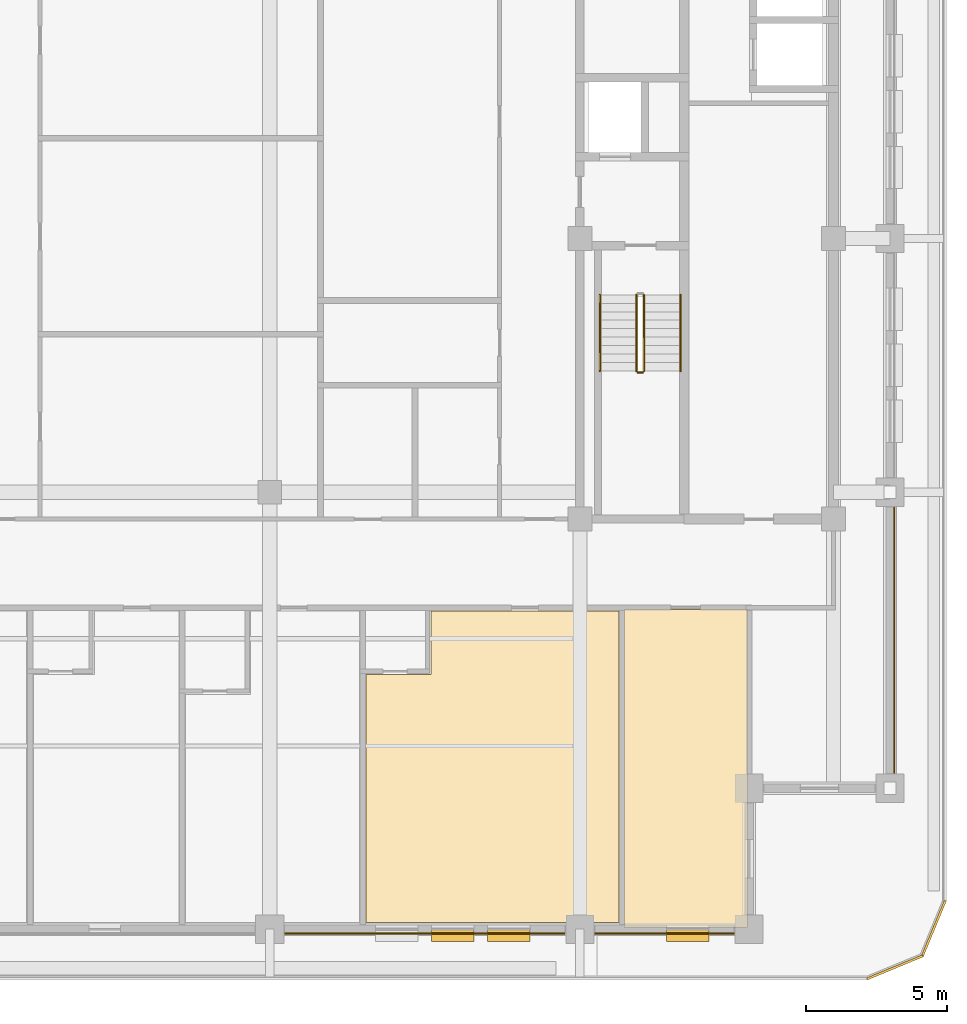
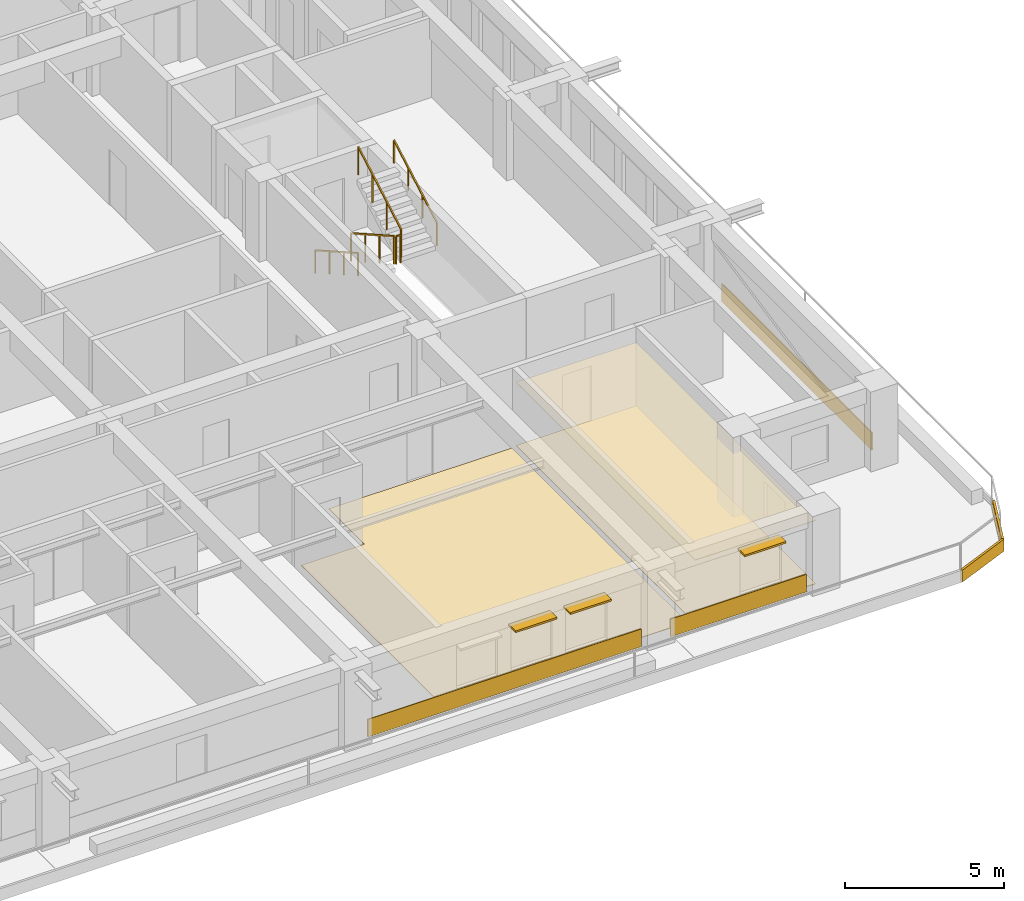
# One storey, part 12 of 14: 8 coverings, 5 railings, 3 shading devices.
"""IFC4 building model written with IfcOpenShell, lengths in metres."""

from ifc_helpers import new_model, si_unit, direction, frame, frame_2d, origin, origin_2d, place, context, subcontext, project, spatial, polyline, rectangle, outline, extrude, material, layer, layer_set, type_object, element, save


model = new_model("IFC4")

# Units and contexts
model_context = context("Model", 3, precision=1e-05, world=origin(), true_north=direction((0.0, 1.0)))
body_context = subcontext(model_context, "Body", "Model", "MODEL_VIEW")
ifc_project = project(units=[si_unit("LENGTHUNIT", "METRE"), si_unit("AREAUNIT", "SQUARE_METRE"), si_unit("VOLUMEUNIT", "CUBIC_METRE"), si_unit("PLANEANGLEUNIT", "RADIAN"), si_unit("MASSUNIT", "GRAM", prefix="KILO")], contexts=[model_context])

# Site, building, storey
site_placement = place(None, origin())
site = spatial("IfcSite", under=ifc_project, at=site_placement, CompositionType="ELEMENT")
building_placement = place(site_placement, origin())
building = spatial("IfcBuilding", under=site, at=building_placement, Name="Zulmaris Gate Convention Tower", CompositionType="ELEMENT")
storey_placement = place(building_placement, frame((0.0, 0.0, 208.4599609375)))
storey = spatial("IfcBuildingStorey", under=building, at=storey_placement, Name="L54", CompositionType="ELEMENT", Elevation=208.4599609375)

# Coverings
ifc_material_1 = material(Name="Precast concrete C40/50", Category="concrete")
ifc_layer_1 = layer(ifc_material_1, 0.0400390625, Name="Precast concrete C40/50")
ifc_layer_set_1 = layer_set([ifc_layer_1], Name="Precast concrete C40/50")
covering_type_1 = type_object("IfcCoveringType", Name="CLAD-SPANDREL-PRECAST", PredefinedType="CLADDING", material=ifc_layer_set_1)
covering_1_placement = place(storey_placement, frame((0.530029296875, -24.64990234375, 0.0), z_axis=(0.0, 0.0, 1.0), x_axis=(1.0, 0.0, 0.0)))
element("IfcCovering", 1, at=covering_1_placement, inside=storey, type_object=covering_type_1, Name="CLD-L54-S-2_0", PredefinedType="CLADDING", context=body_context, shape_type="SweptSolid", body=[
    extrude(rectangle(XDim=9.93994140625, YDim=0.0400390625, at=frame_2d((4.969970703125, 0.0))), origin(), (0.0, 0.0, 1.0), 0.679931640625),
])
covering_2_placement = place(storey_placement, frame((11.530029296875, -24.64990234375, 0.0), z_axis=(0.0, 0.0, 1.0), x_axis=(1.0, 0.0, 0.0)))
element("IfcCovering", 2, at=covering_2_placement, inside=storey, type_object=covering_type_1, Name="CLD-L54-S-3_0", PredefinedType="CLADDING", context=body_context, shape_type="SweptSolid", body=[
    extrude(rectangle(XDim=4.93994140625, YDim=0.0400390625, at=frame_2d((2.469970703125, 0.0))), origin(), (0.0, 0.0, 1.0), 0.679931640625),
])
covering_3_placement = place(storey_placement, frame((22.14990234375, -18.969970703125, 0.0), z_axis=(0.0, 0.0, 1.0), x_axis=(0.0, 1.0, 0.0)))
element("IfcCovering", 3, at=covering_3_placement, inside=storey, type_object=covering_type_1, Name="CLD-L54-E-0_0", PredefinedType="CLADDING", context=body_context, shape_type="SweptSolid", body=[
    extrude(rectangle(XDim=9.43994140625, YDim=0.0400390625, at=frame_2d((4.719970703125, 0.0))), origin(), (0.0, 0.0, 1.0), 0.679931640625),
])
ifc_material_2 = material(Name="White Glazed Architectural Precast Concrete C40/50", Category="concrete")
ifc_layer_2 = layer(ifc_material_2, 0.080078125, Name="White Glazed Architectural Precast Concrete C40/50")
ifc_layer_set_2 = layer_set([ifc_layer_2], Name="White Glazed Architectural Precast Concrete C40/50")
covering_type_2 = type_object("IfcCoveringType", Name="CLAD-TRAY-FASCIA", PredefinedType="CLADDING", material=ifc_layer_set_2)
covering_4_placement = place(storey_placement, frame((21.184814453125, -26.262939453125, -0.2900390625), z_axis=(0.0, 0.0, 1.0), x_axis=(0.923873803533, 0.382697263049, 0.0)))
element("IfcCovering", 4, at=covering_4_placement, inside=storey, type_object=covering_type_2, Name="FSC-L54-TR-03", PredefinedType="CLADDING", context=body_context, shape_type="SweptSolid", body=[
    extrude(rectangle(XDim=2.142822265625, YDim=0.080078125, at=frame_2d((1.0712890625, 0.0))), origin(), (0.0, 0.0, 1.0), 0.4599609375),
])
covering_5_placement = place(storey_placement, frame((23.142822265625, -25.464599609375, -0.2900390625), z_axis=(0.0, 0.0, 1.0), x_axis=(0.382656984709, 0.923890487046, 0.0)))
element("IfcCovering", 5, at=covering_5_placement, inside=storey, type_object=covering_type_2, Name="FSC-L54-TR-04", PredefinedType="CLADDING", context=body_context, shape_type="SweptSolid", body=[
    extrude(rectangle(XDim=2.14306640625, YDim=0.080078125, at=frame_2d((1.071533203125, 0.0))), origin(), (0.0, 0.0, 1.0), 0.4599609375),
])
ifc_material_3 = material(Name="Mineral Fibre Acoustic Ceiling Tile")
ifc_layer_3 = layer(ifc_material_3, 0.02001953125, Name="Mineral Fibre Acoustic Ceiling Tile")
ifc_layer_set_3 = layer_set([ifc_layer_3], Name="Mineral Fibre Acoustic Ceiling Tile")
covering_type_3 = type_object("IfcCoveringType", Name="CLG-ACOUSTIC-600", PredefinedType="CEILING", material=ifc_layer_set_3)
covering_6_placement = place(storey_placement, frame((0.0, 0.0, 2.43505859375)))
element("IfcCovering", 6, at=covering_6_placement, inside=storey, type_object=covering_type_3, Name="CLG-L54-R47", PredefinedType="CEILING", context=body_context, shape_type="SweptSolid", body=[
    extrude(outline(polyline([(12.56005859375, -24.43994140625), (16.93994140625, -24.43994140625), (16.93994140625, -13.159912109375), (12.56005859375, -13.159912109375), (12.56005859375, -24.43994140625)])), origin(), (0.0, 0.0, 1.0), 0.019775390625),
])
ifc_material_4 = material(Name="Engineered Teak Parquet Flooring")
ifc_layer_4 = layer(ifc_material_4, 0.02001953125, Name="Engineered Teak Parquet Flooring")
ifc_layer_set_4 = layer_set([ifc_layer_4], Name="Engineered Teak Parquet Flooring")
covering_type_4 = type_object("IfcCoveringType", Name="FLR-TIMBER-18", PredefinedType="FLOORING", material=ifc_layer_set_4)
covering_7_placement = place(storey_placement, origin())
element("IfcCovering", 7, at=covering_7_placement, inside=storey, type_object=covering_type_4, Name="FLR-L54-R46", PredefinedType="FLOORING", context=body_context, shape_type="SweptSolid", body=[
    extrude(outline(polyline([(3.419921875, -24.260009765625), (12.3798828125, -24.260009765625), (12.3798828125, -13.219970703125), (5.719970703125, -13.219970703125), (5.719970703125, -15.469970703125), (3.419921875, -15.469970703125), (3.419921875, -24.260009765625)])), origin(), (0.0, 0.0, 1.0), 0.02001953125),
])
covering_8_placement = place(storey_placement, origin())
element("IfcCovering", 8, at=covering_8_placement, inside=storey, type_object=covering_type_4, Name="FLR-L54-R47", PredefinedType="FLOORING", context=body_context, shape_type="SweptSolid", body=[
    extrude(outline(polyline([(12.56005859375, -24.43994140625), (16.93994140625, -24.43994140625), (16.93994140625, -13.159912109375), (12.56005859375, -13.159912109375), (12.56005859375, -24.43994140625)])), origin(), (0.0, 0.0, 1.0), 0.02001953125),
])

# Railings
ifc_material_5 = material(Name="Painted Galvanised Steel", Category="steel")
railing_type_1 = type_object("IfcRailingType", Name="RL-STG-1150", PredefinedType="GUARDRAIL", material=ifc_material_5)
railing_1_placement = place(storey_placement, frame((13.010009765625, -2.0, 0.169921875)))
element("IfcRailing", 9, at=railing_1_placement, inside=storey, type_object=railing_type_1, Name="L54 ST-2 stair guard 1", PredefinedType="GUARDRAIL", context=body_context, shape_type="SweptSolid", body=[
    extrude(rectangle(XDim=0.048095703125, YDim=0.048095703125, at=origin_2d()), frame((0.0, 0.0, 1.076171875), z_axis=(0.0, -0.870014312096, 0.49302646658), x_axis=(1.0, 0.0, 0.0)), (0.0, 0.0, 1.0), 3.103271484375),
    extrude(rectangle(XDim=0.0419921875, YDim=0.0419921875, at=origin_2d()), origin(), (0.0, 0.0, 1.0), 1.052001953125),
    extrude(rectangle(XDim=0.0419921875, YDim=0.0419921875, at=origin_2d()), frame((0.0, -0.89990234375, 0.510009765625)), (0.0, 0.0, 1.0), 1.052001953125),
    extrude(rectangle(XDim=0.0419921875, YDim=0.0419921875, at=origin_2d()), frame((0.0, -1.800048828125, 1.02001953125)), (0.0, 0.0, 1.0), 1.052001953125),
    extrude(rectangle(XDim=0.0419921875, YDim=0.0419921875, at=origin_2d()), frame((0.0, -2.699951171875, 1.530029296875)), (0.0, 0.0, 1.0), 1.052001953125),
])
railing_2_placement = place(storey_placement, frame((13.06005859375, -4.75, 1.699951171875)))
element("IfcRailing", 10, at=railing_2_placement, inside=storey, type_object=railing_type_1, Name="L54 ST-2 stair guard 2", PredefinedType="GUARDRAIL", context=body_context, shape_type="SweptSolid", body=[
    extrude(rectangle(XDim=0.048095703125, YDim=0.048095703125, at=origin_2d()), frame((0.0, 0.0, 1.076171875), z_axis=(1.0, 0.0, 0.0), x_axis=(0.0, 1.0, 0.0)), (0.0, 0.0, 1.0), 0.159912109375),
    extrude(rectangle(XDim=0.0419921875, YDim=0.0419921875, at=origin_2d()), origin(), (0.0, 0.0, 1.0), 1.052001953125),
    extrude(rectangle(XDim=0.0419921875, YDim=0.0419921875, at=origin_2d()), frame((0.159912109375, 0.0, 0.0)), (0.0, 0.0, 1.0), 1.052001953125),
])
railing_3_placement = place(storey_placement, frame((13.27001953125, -4.699951171875, 1.869873046875)))
element("IfcRailing", 11, at=railing_3_placement, inside=storey, type_object=railing_type_1, Name="L54 ST-2 stair guard 3", PredefinedType="GUARDRAIL", context=body_context, shape_type="SweptSolid", body=[
    extrude(rectangle(XDim=0.048095703125, YDim=0.048095703125, at=origin_2d()), frame((0.0, 0.0, 1.076171875), z_axis=(0.0, 0.870014312096, 0.49302646658), x_axis=(-1.0, 0.0, 0.0)), (0.0, 0.0, 1.0), 3.103271484375),
    extrude(rectangle(XDim=0.0419921875, YDim=0.0419921875, at=origin_2d()), origin(), (0.0, 0.0, 1.0), 1.052001953125),
    extrude(rectangle(XDim=0.0419921875, YDim=0.0419921875, at=origin_2d()), frame((0.0, 0.89990234375, 0.510009765625)), (0.0, 0.0, 1.0), 1.052001953125),
    extrude(rectangle(XDim=0.0419921875, YDim=0.0419921875, at=origin_2d()), frame((0.0, 1.800048828125, 1.02001953125)), (0.0, 0.0, 1.0), 1.052001953125),
    extrude(rectangle(XDim=0.0419921875, YDim=0.0419921875, at=origin_2d()), frame((0.0, 2.699951171875, 1.530029296875)), (0.0, 0.0, 1.0), 1.052001953125),
])
ifc_material_6 = material(Name="Brushed Stainless Steel", Category="steel")
railing_type_2 = type_object("IfcRailingType", Name="RL-STH-900", PredefinedType="HANDRAIL", material=ifc_material_6)
railing_4_placement = place(storey_placement, frame((11.7099609375, -2.0, 0.169921875)))
element("IfcRailing", 12, at=railing_4_placement, inside=storey, type_object=railing_type_2, Name="L54 ST-2 stair handrail 1", PredefinedType="HANDRAIL", context=body_context, shape_type="SweptSolid", body=[
    extrude(rectangle(XDim=0.048095703125, YDim=0.048095703125, at=origin_2d()), frame((0.0, 0.0, 0.8759765625), z_axis=(0.0, -0.870014312096, 0.49302646658), x_axis=(1.0, 0.0, 0.0)), (0.0, 0.0, 1.0), 3.103271484375),
    extrude(rectangle(XDim=0.0419921875, YDim=0.0419921875, at=origin_2d()), origin(), (0.0, 0.0, 1.0), 0.851806640625),
    extrude(rectangle(XDim=0.0419921875, YDim=0.0419921875, at=origin_2d()), frame((0.0, -0.89990234375, 0.510009765625)), (0.0, 0.0, 1.0), 0.851806640625),
    extrude(rectangle(XDim=0.0419921875, YDim=0.0419921875, at=origin_2d()), frame((0.0, -1.800048828125, 1.02001953125)), (0.0, 0.0, 1.0), 0.851806640625),
    extrude(rectangle(XDim=0.0419921875, YDim=0.0419921875, at=origin_2d()), frame((0.0, -2.699951171875, 1.530029296875)), (0.0, 0.0, 1.0), 0.851806640625),
])
railing_5_placement = place(storey_placement, frame((14.570068359375, -4.699951171875, 1.869873046875)))
element("IfcRailing", 13, at=railing_5_placement, inside=storey, type_object=railing_type_2, Name="L54 ST-2 stair handrail 2", PredefinedType="HANDRAIL", context=body_context, shape_type="SweptSolid", body=[
    extrude(rectangle(XDim=0.048095703125, YDim=0.048095703125, at=origin_2d()), frame((0.0, 0.0, 0.8759765625), z_axis=(0.0, 0.870014312096, 0.49302646658), x_axis=(-1.0, 0.0, 0.0)), (0.0, 0.0, 1.0), 3.103271484375),
    extrude(rectangle(XDim=0.0419921875, YDim=0.0419921875, at=origin_2d()), origin(), (0.0, 0.0, 1.0), 0.851806640625),
    extrude(rectangle(XDim=0.0419921875, YDim=0.0419921875, at=origin_2d()), frame((0.0, 0.89990234375, 0.510009765625)), (0.0, 0.0, 1.0), 0.851806640625),
    extrude(rectangle(XDim=0.0419921875, YDim=0.0419921875, at=origin_2d()), frame((0.0, 1.800048828125, 1.02001953125)), (0.0, 0.0, 1.0), 0.851806640625),
    extrude(rectangle(XDim=0.0419921875, YDim=0.0419921875, at=origin_2d()), frame((0.0, 2.699951171875, 1.530029296875)), (0.0, 0.0, 1.0), 0.851806640625),
])

# Shading devices
ifc_material_7 = material(Name="Glazed Ceramic Terracotta", Category="masonry")
ifc_layer_5 = layer(ifc_material_7, 0.070068359375, Name="Glazed Ceramic Terracotta")
ifc_layer_set_5 = layer_set([ifc_layer_5], Name="Glazed Ceramic Terracotta")
shading_device_type = type_object("IfcShadingDeviceType", Name="SHD-SUNSHADE-TC", PredefinedType="AWNING", material=ifc_layer_set_5)
for number, where, z_axis, x_axis, name in (
    (14, (5.743896484375, -24.719970703125, 2.35009765625), (0.0, 0.0, 1.0), (1.0, 0.0, 0.0), "SHD-EW-L54-S-2_0-3"),
    (15, (7.73193359375, -24.719970703125, 2.35009765625), (0.0, 0.0, 1.0), (1.0, 0.0, 0.0), "SHD-EW-L54-S-2_0-4"),
    (16, (14.072998046875, -24.719970703125, 2.35009765625), (0.0, 0.0, 1.0), (1.0, 0.0, 0.0), "SHD-EW-L54-S-3_0-2"),
):
    element("IfcShadingDevice", number, at=place(storey_placement, frame(where, z_axis=z_axis, x_axis=x_axis)), inside=storey, type_object=shading_device_type, Name=name, PredefinedType="AWNING", context=body_context, shape_type="SweptSolid", body=[
        extrude(rectangle(XDim=1.5, YDim=0.43994140625, at=frame_2d((0.75, 0.0))), origin(), (0.0, 0.0, 1.0), 0.06982421875),
    ])

save(model, "model.ifc")
